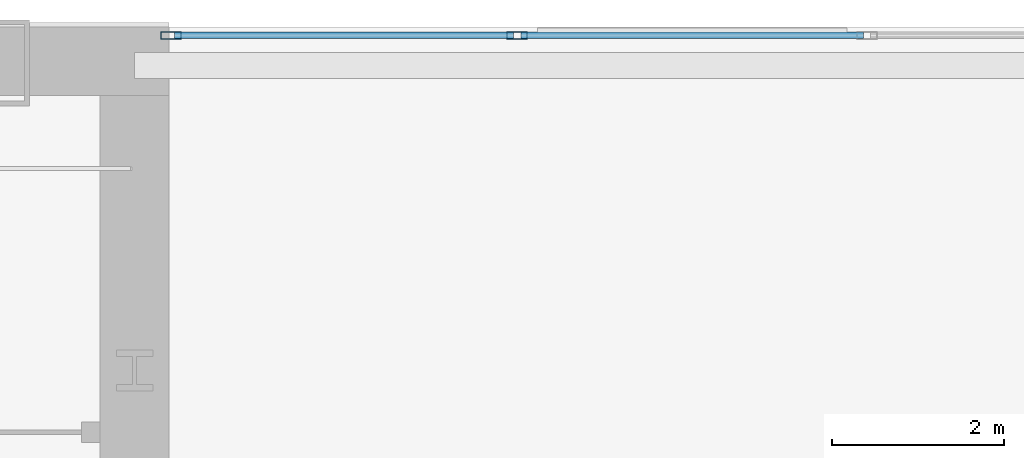
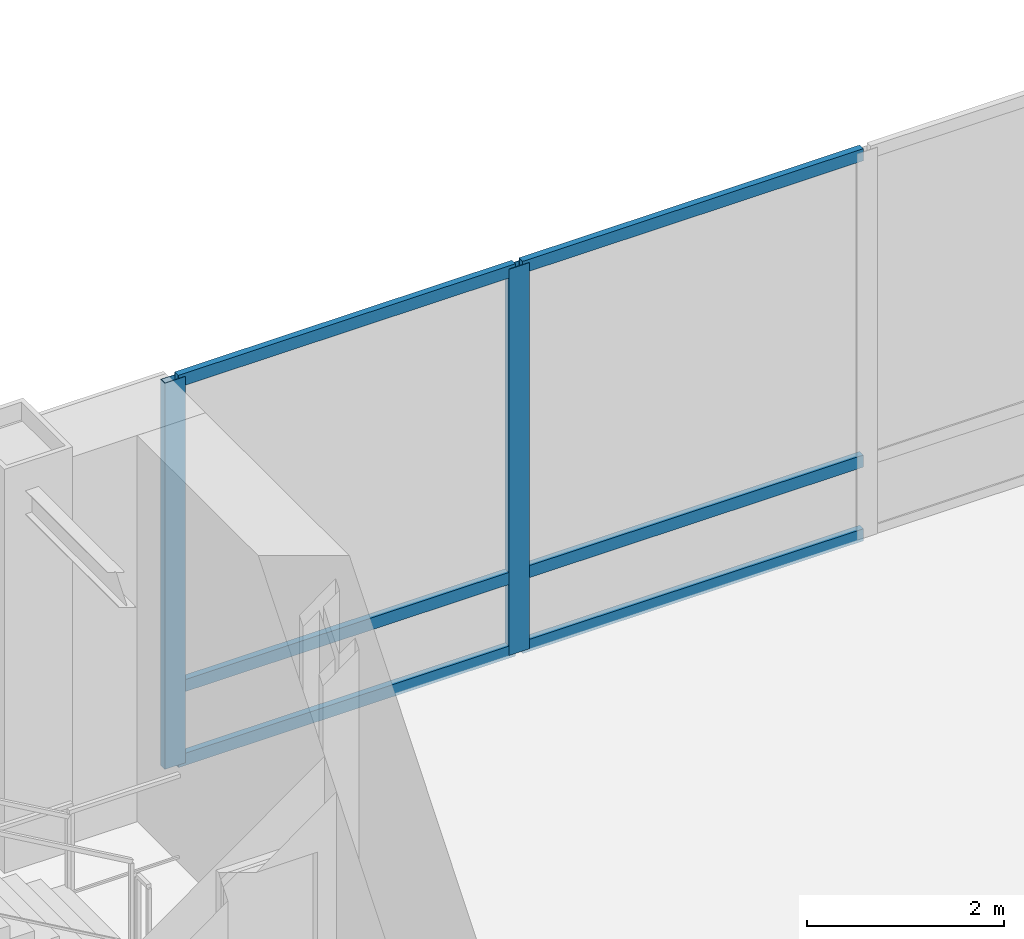
# One storey, part 13 of 25: 8 members, 1 element without a shape of its own.
"""IFC4 building model written with IfcOpenShell, lengths in metres."""

from ifc_helpers import new_model, si_unit, direction, frame, origin, origin_2d, place, context, subcontext, project, spatial, hollow_rectangle, extrude, material, material_profile, profile_set, type_object, element, aggregate, save


model = new_model("IFC4")

# Units and contexts
model_context = context("Model", 3, precision=1e-05, world=origin(), true_north=direction((0.0, 1.0)))
body_context = subcontext(model_context, "Body", "Model", "MODEL_VIEW")
ifc_project = project(units=[si_unit("LENGTHUNIT", "METRE"), si_unit("AREAUNIT", "SQUARE_METRE"), si_unit("VOLUMEUNIT", "CUBIC_METRE"), si_unit("PLANEANGLEUNIT", "RADIAN"), si_unit("MASSUNIT", "GRAM", prefix="KILO")], contexts=[model_context])

# Site, building, storey
site_placement = place(None, origin())
site = spatial("IfcSite", under=ifc_project, at=site_placement, CompositionType="ELEMENT")
building_placement = place(site_placement, origin())
building = spatial("IfcBuilding", under=site, at=building_placement, Name="Khoronbel Lancet Exchange", CompositionType="ELEMENT")
storey_placement = place(building_placement, frame((0.0, 0.0, 15.39990234375)))
storey = spatial("IfcBuildingStorey", under=building, at=storey_placement, Name="L03", CompositionType="ELEMENT", Elevation=15.39990234375)

# Curtain wall, members
ifc_material_1 = material(Name="Low-E Solar Control Insulating Glass", Category="glass")
curtain_wall_type = type_object("IfcCurtainWallType", Name="CW-5", PredefinedType="NOTDEFINED", material=ifc_material_1)
curtain_wall_placement = place(storey_placement, origin())
curtain_wall = element("IfcCurtainWall", 1, at=curtain_wall_placement, inside=storey, type_object=curtain_wall_type, Name="Unitised curtain wall CW-L03-NE", PredefinedType="NOTDEFINED")
ifc_material_2 = material(Name="Bronze-Anodised Aluminium 6063-T6", Category="aluminium")
ifc_material_profile_1 = material_profile(ifc_material_2, hollow_rectangle(XDim=0.0849609375, YDim=0.239990234375, WallThickness=0.006103515625, at=origin_2d()), Name="ALU MULLION 85x240")
ifc_profile_set_1 = profile_set([ifc_material_profile_1], Name="Bronze-Anodised Aluminium 6063-T6")
member_type_1 = type_object("IfcMemberType", Name="MEM-CWM1", PredefinedType="MULLION", material=ifc_profile_set_1)
member_1_placement = place(storey_placement, frame((56.722412109375, 53.60009765625, 0.0), z_axis=(0.0, 0.0, 1.0), x_axis=(0.0, 1.0, 0.0)))
member_1 = element("IfcMember", 2, at=member_1_placement, type_object=member_type_1, Name="CW5 mullion 1", PredefinedType="MULLION", context=body_context, shape_type="SweptSolid", body=[
    extrude(hollow_rectangle(XDim=0.0849609375, YDim=0.239990234375, WallThickness=0.006103515625, at=origin_2d()), origin(), (0.0, 0.0, 1.0), 4.780029296875),
])
member_2_placement = place(storey_placement, frame((60.75341796875, 53.60009765625, 0.0), z_axis=(0.0, 0.0, 1.0), x_axis=(0.0, 1.0, 0.0)))
member_2 = element("IfcMember", 3, at=member_2_placement, type_object=member_type_1, Name="CW5 mullion 2", PredefinedType="MULLION", context=body_context, shape_type="SweptSolid", body=[
    extrude(hollow_rectangle(XDim=0.0849609375, YDim=0.239990234375, WallThickness=0.006103515625, at=origin_2d()), origin(), (0.0, 0.0, 1.0), 4.780029296875),
])
ifc_material_profile_2 = material_profile(ifc_material_2, hollow_rectangle(XDim=0.074951171875, YDim=0.14990234375, WallThickness=0.00439453125, at=origin_2d()), Name="ALU TRANSOM 75x150")
ifc_profile_set_2 = profile_set([ifc_material_profile_2], Name="Bronze-Anodised Aluminium 6063-T6")
member_type_2 = type_object("IfcMemberType", Name="MEM-CWT2", PredefinedType="USERDEFINED", material=ifc_profile_set_2)
member_3_placement = place(storey_placement, frame((56.764892578125, 53.60009765625, 0.03759765625), z_axis=(1.0, 0.0, 0.0), x_axis=(0.0, 1.0, 0.0)))
member_3 = element("IfcMember", 4, at=member_3_placement, type_object=member_type_2, Name="CW5 transom 1.1", ObjectType="TRANSOM", PredefinedType="USERDEFINED", context=body_context, shape_type="SweptSolid", body=[
    extrude(hollow_rectangle(XDim=0.074951171875, YDim=0.14990234375, WallThickness=0.00439453125, at=origin_2d()), origin(), (0.0, 0.0, 1.0), 3.946044921875),
])
member_4_placement = place(storey_placement, frame((56.764892578125, 53.60009765625, 0.9501953125), z_axis=(1.0, 0.0, 0.0), x_axis=(0.0, 1.0, 0.0)))
member_4 = element("IfcMember", 5, at=member_4_placement, type_object=member_type_2, Name="CW5 transom 1.2", ObjectType="TRANSOM", PredefinedType="USERDEFINED", context=body_context, shape_type="SweptSolid", body=[
    extrude(hollow_rectangle(XDim=0.074951171875, YDim=0.14990234375, WallThickness=0.00439453125, at=origin_2d()), origin(), (0.0, 0.0, 1.0), 3.946044921875),
])
member_5_placement = place(storey_placement, frame((56.764892578125, 53.60009765625, 4.74267578125), z_axis=(1.0, 0.0, 0.0), x_axis=(0.0, 1.0, 0.0)))
member_5 = element("IfcMember", 6, at=member_5_placement, type_object=member_type_2, Name="CW5 transom 1.3", ObjectType="TRANSOM", PredefinedType="USERDEFINED", context=body_context, shape_type="SweptSolid", body=[
    extrude(hollow_rectangle(XDim=0.074951171875, YDim=0.14990234375, WallThickness=0.00439453125, at=origin_2d()), origin(), (0.0, 0.0, 1.0), 3.946044921875),
])
member_6_placement = place(storey_placement, frame((60.7958984375, 53.60009765625, 0.03759765625), z_axis=(1.0, 0.0, 0.0), x_axis=(0.0, 1.0, 0.0)))
member_6 = element("IfcMember", 7, at=member_6_placement, type_object=member_type_2, Name="CW5 transom 2.1", ObjectType="TRANSOM", PredefinedType="USERDEFINED", context=body_context, shape_type="SweptSolid", body=[
    extrude(hollow_rectangle(XDim=0.074951171875, YDim=0.14990234375, WallThickness=0.00439453125, at=origin_2d()), origin(), (0.0, 0.0, 1.0), 3.98828125),
])
member_7_placement = place(storey_placement, frame((60.7958984375, 53.60009765625, 0.9501953125), z_axis=(1.0, 0.0, 0.0), x_axis=(0.0, 1.0, 0.0)))
member_7 = element("IfcMember", 8, at=member_7_placement, type_object=member_type_2, Name="CW5 transom 2.2", ObjectType="TRANSOM", PredefinedType="USERDEFINED", context=body_context, shape_type="SweptSolid", body=[
    extrude(hollow_rectangle(XDim=0.074951171875, YDim=0.14990234375, WallThickness=0.00439453125, at=origin_2d()), origin(), (0.0, 0.0, 1.0), 3.98828125),
])
member_8_placement = place(storey_placement, frame((60.7958984375, 53.60009765625, 4.74267578125), z_axis=(1.0, 0.0, 0.0), x_axis=(0.0, 1.0, 0.0)))
member_8 = element("IfcMember", 9, at=member_8_placement, type_object=member_type_2, Name="CW5 transom 2.3", ObjectType="TRANSOM", PredefinedType="USERDEFINED", context=body_context, shape_type="SweptSolid", body=[
    extrude(hollow_rectangle(XDim=0.074951171875, YDim=0.14990234375, WallThickness=0.00439453125, at=origin_2d()), origin(), (0.0, 0.0, 1.0), 3.98828125),
])
aggregate(curtain_wall, [member_1, member_2, member_3, member_4, member_5, member_6, member_7, member_8])

save(model, "model.ifc")
